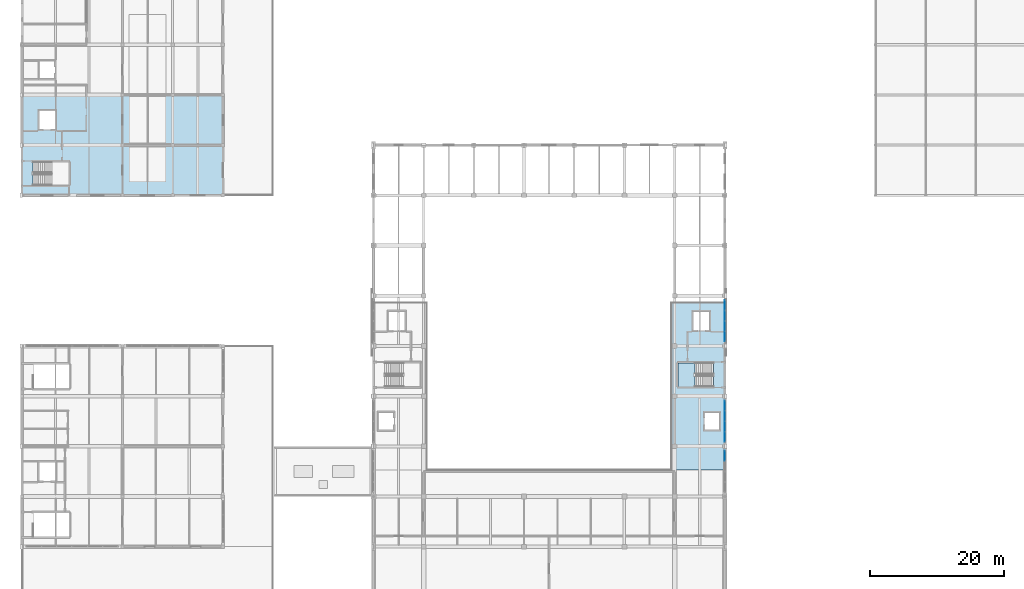
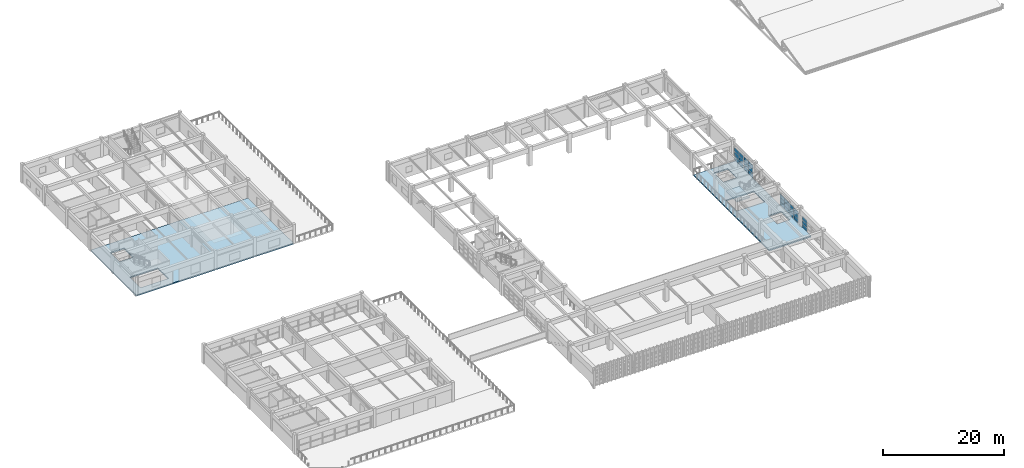
# One storey, part 53 of 82: 27 plates, 3 slabs, 4 elements without a shape of their own.
"""IFC4 building model written with IfcOpenShell, lengths in metres."""

from ifc_helpers import new_model, si_unit, direction, frame, origin, origin_2d, place, context, subcontext, project, spatial, polyline, rectangle, outline, extrude, material, layer, layer_set, type_object, element, aggregate, save


model = new_model("IFC4")

# Units and contexts
model_context = context("Model", 3, precision=1e-05, world=origin(), true_north=direction((0.0, 1.0)))
body_context = subcontext(model_context, "Body", "Model", "MODEL_VIEW")
ifc_project = project(units=[si_unit("LENGTHUNIT", "METRE"), si_unit("AREAUNIT", "SQUARE_METRE"), si_unit("VOLUMEUNIT", "CUBIC_METRE"), si_unit("PLANEANGLEUNIT", "RADIAN"), si_unit("MASSUNIT", "GRAM", prefix="KILO")], contexts=[model_context])

# Site, building, storey
site_placement = place(None, origin())
site = spatial("IfcSite", under=ifc_project, at=site_placement, CompositionType="ELEMENT")
building_placement = place(site_placement, origin())
building = spatial("IfcBuilding", under=site, at=building_placement, Name="Qasida Concert Hall", CompositionType="ELEMENT")
storey_placement = place(building_placement, frame((0.0, 0.0, 17.10009765625)))
storey = spatial("IfcBuildingStorey", under=building, at=storey_placement, Name="L04", CompositionType="ELEMENT", Elevation=17.10009765625)

# Curtain wall, plates
ifc_material_1 = material(Name="Architectural bronze-anodized aluminium and low-E glass", Category="aluminium")
curtain_wall_type = type_object("IfcCurtainWallType", Name="CW-11", PredefinedType="NOTDEFINED", material=ifc_material_1)
curtain_wall_1_placement = place(storey_placement, origin())
curtain_wall_1 = element("IfcCurtainWall", 1, at=curtain_wall_1_placement, inside=storey, type_object=curtain_wall_type, Name="L04 curtain wall CW-11 0057", PredefinedType="NOTDEFINED")
ifc_material_2 = material(Name="Solar-control low-E double glazing", Category="glass")
ifc_layer_1 = layer(ifc_material_2, 0.031982421875, Name="Solar-control low-E double glazing")
ifc_layer_set_1 = layer_set([ifc_layer_1], Name="Solar-control low-E double glazing")
plate_type = type_object("IfcPlateType", Name="PLT-CWP-2", PredefinedType="CURTAIN_PANEL", material=ifc_layer_set_1)
plate_1_placement = place(storey_placement, frame((105.0, 36.081298828125, 0.06005859375), z_axis=(0.0, 0.0, 1.0), x_axis=(0.0, 1.0, 0.0)))
plate_1 = element("IfcPlate", 2, at=plate_1_placement, type_object=plate_type, Name="CW-11 panel 4.1", PredefinedType="CURTAIN_PANEL", context=body_context, shape_type="SweptSolid", body=[
    extrude(rectangle(XDim=1.467529296875, YDim=0.031982421875, at=origin_2d()), origin(), (0.0, 0.0, 1.0), 0.706787109375),
])
plate_2_placement = place(storey_placement, frame((105.0, 36.081298828125, 0.82666015625), z_axis=(0.0, 0.0, 1.0), x_axis=(0.0, 1.0, 0.0)))
plate_2 = element("IfcPlate", 3, at=plate_2_placement, type_object=plate_type, Name="CW-11 panel 4.2", PredefinedType="CURTAIN_PANEL", context=body_context, shape_type="SweptSolid", body=[
    extrude(rectangle(XDim=1.467529296875, YDim=0.031982421875, at=origin_2d()), origin(), (0.0, 0.0, 1.0), 0.736572265625),
])
plate_3_placement = place(storey_placement, frame((105.0, 36.081298828125, 1.623046875), z_axis=(0.0, 0.0, 1.0), x_axis=(0.0, 1.0, 0.0)))
plate_3 = element("IfcPlate", 4, at=plate_3_placement, type_object=plate_type, Name="CW-11 panel 4.3", PredefinedType="CURTAIN_PANEL", context=body_context, shape_type="SweptSolid", body=[
    extrude(rectangle(XDim=1.467529296875, YDim=0.031982421875, at=origin_2d()), origin(), (0.0, 0.0, 1.0), 0.706787109375),
])
aggregate(curtain_wall_1, [plate_1, plate_2, plate_3])

curtain_wall_2_placement = place(storey_placement, origin())
curtain_wall_2 = element("IfcCurtainWall", 5, at=curtain_wall_2_placement, inside=storey, type_object=curtain_wall_type, Name="L04 curtain wall CW-11 0059", PredefinedType="NOTDEFINED")
plate_4_placement = place(storey_placement, frame((105.0, 38.918701171875, 0.06005859375), z_axis=(0.0, 0.0, 1.0), x_axis=(0.0, 1.0, 0.0)))
plate_4 = element("IfcPlate", 6, at=plate_4_placement, type_object=plate_type, Name="CW-11 panel 1.1", PredefinedType="CURTAIN_PANEL", context=body_context, shape_type="SweptSolid", body=[
    extrude(rectangle(XDim=1.467529296875, YDim=0.031982421875, at=origin_2d()), origin(), (0.0, 0.0, 1.0), 0.706787109375),
])
plate_5_placement = place(storey_placement, frame((105.0, 38.918701171875, 0.82666015625), z_axis=(0.0, 0.0, 1.0), x_axis=(0.0, 1.0, 0.0)))
plate_5 = element("IfcPlate", 7, at=plate_5_placement, type_object=plate_type, Name="CW-11 panel 1.2", PredefinedType="CURTAIN_PANEL", context=body_context, shape_type="SweptSolid", body=[
    extrude(rectangle(XDim=1.467529296875, YDim=0.031982421875, at=origin_2d()), origin(), (0.0, 0.0, 1.0), 0.736572265625),
])
plate_6_placement = place(storey_placement, frame((105.0, 38.918701171875, 1.623046875), z_axis=(0.0, 0.0, 1.0), x_axis=(0.0, 1.0, 0.0)))
plate_6 = element("IfcPlate", 8, at=plate_6_placement, type_object=plate_type, Name="CW-11 panel 1.3", PredefinedType="CURTAIN_PANEL", context=body_context, shape_type="SweptSolid", body=[
    extrude(rectangle(XDim=1.467529296875, YDim=0.031982421875, at=origin_2d()), origin(), (0.0, 0.0, 1.0), 0.706787109375),
])
plate_7_placement = place(storey_placement, frame((105.0, 40.467529296875, 0.06005859375), z_axis=(0.0, 0.0, 1.0), x_axis=(0.0, 1.0, 0.0)))
plate_7 = element("IfcPlate", 9, at=plate_7_placement, type_object=plate_type, Name="CW-11 panel 2.1", PredefinedType="CURTAIN_PANEL", context=body_context, shape_type="SweptSolid", body=[
    extrude(rectangle(XDim=1.5, YDim=0.031982421875, at=origin_2d()), origin(), (0.0, 0.0, 1.0), 0.706787109375),
])
plate_8_placement = place(storey_placement, frame((105.0, 40.467529296875, 0.82666015625), z_axis=(0.0, 0.0, 1.0), x_axis=(0.0, 1.0, 0.0)))
plate_8 = element("IfcPlate", 10, at=plate_8_placement, type_object=plate_type, Name="CW-11 panel 2.2", PredefinedType="CURTAIN_PANEL", context=body_context, shape_type="SweptSolid", body=[
    extrude(rectangle(XDim=1.5, YDim=0.031982421875, at=origin_2d()), origin(), (0.0, 0.0, 1.0), 0.736572265625),
])
plate_9_placement = place(storey_placement, frame((105.0, 40.467529296875, 1.623046875), z_axis=(0.0, 0.0, 1.0), x_axis=(0.0, 1.0, 0.0)))
plate_9 = element("IfcPlate", 11, at=plate_9_placement, type_object=plate_type, Name="CW-11 panel 2.3", PredefinedType="CURTAIN_PANEL", context=body_context, shape_type="SweptSolid", body=[
    extrude(rectangle(XDim=1.5, YDim=0.031982421875, at=origin_2d()), origin(), (0.0, 0.0, 1.0), 0.706787109375),
])
plate_10_placement = place(storey_placement, frame((105.0, 42.032470703125, 0.06005859375), z_axis=(0.0, 0.0, 1.0), x_axis=(0.0, 1.0, 0.0)))
plate_10 = element("IfcPlate", 12, at=plate_10_placement, type_object=plate_type, Name="CW-11 panel 3.1", PredefinedType="CURTAIN_PANEL", context=body_context, shape_type="SweptSolid", body=[
    extrude(rectangle(XDim=1.5, YDim=0.031982421875, at=origin_2d()), origin(), (0.0, 0.0, 1.0), 0.706787109375),
])
plate_11_placement = place(storey_placement, frame((105.0, 42.032470703125, 0.82666015625), z_axis=(0.0, 0.0, 1.0), x_axis=(0.0, 1.0, 0.0)))
plate_11 = element("IfcPlate", 13, at=plate_11_placement, type_object=plate_type, Name="CW-11 panel 3.2", PredefinedType="CURTAIN_PANEL", context=body_context, shape_type="SweptSolid", body=[
    extrude(rectangle(XDim=1.5, YDim=0.031982421875, at=origin_2d()), origin(), (0.0, 0.0, 1.0), 0.736572265625),
])
plate_12_placement = place(storey_placement, frame((105.0, 42.032470703125, 1.623046875), z_axis=(0.0, 0.0, 1.0), x_axis=(0.0, 1.0, 0.0)))
plate_12 = element("IfcPlate", 14, at=plate_12_placement, type_object=plate_type, Name="CW-11 panel 3.3", PredefinedType="CURTAIN_PANEL", context=body_context, shape_type="SweptSolid", body=[
    extrude(rectangle(XDim=1.5, YDim=0.031982421875, at=origin_2d()), origin(), (0.0, 0.0, 1.0), 0.706787109375),
])
plate_13_placement = place(storey_placement, frame((105.0, 43.581298828125, 0.06005859375), z_axis=(0.0, 0.0, 1.0), x_axis=(0.0, 1.0, 0.0)))
plate_13 = element("IfcPlate", 15, at=plate_13_placement, type_object=plate_type, Name="CW-11 panel 4.1", PredefinedType="CURTAIN_PANEL", context=body_context, shape_type="SweptSolid", body=[
    extrude(rectangle(XDim=1.467529296875, YDim=0.031982421875, at=origin_2d()), origin(), (0.0, 0.0, 1.0), 0.706787109375),
])
plate_14_placement = place(storey_placement, frame((105.0, 43.581298828125, 0.82666015625), z_axis=(0.0, 0.0, 1.0), x_axis=(0.0, 1.0, 0.0)))
plate_14 = element("IfcPlate", 16, at=plate_14_placement, type_object=plate_type, Name="CW-11 panel 4.2", PredefinedType="CURTAIN_PANEL", context=body_context, shape_type="SweptSolid", body=[
    extrude(rectangle(XDim=1.467529296875, YDim=0.031982421875, at=origin_2d()), origin(), (0.0, 0.0, 1.0), 0.736572265625),
])
plate_15_placement = place(storey_placement, frame((105.0, 43.581298828125, 1.623046875), z_axis=(0.0, 0.0, 1.0), x_axis=(0.0, 1.0, 0.0)))
plate_15 = element("IfcPlate", 17, at=plate_15_placement, type_object=plate_type, Name="CW-11 panel 4.3", PredefinedType="CURTAIN_PANEL", context=body_context, shape_type="SweptSolid", body=[
    extrude(rectangle(XDim=1.467529296875, YDim=0.031982421875, at=origin_2d()), origin(), (0.0, 0.0, 1.0), 0.706787109375),
])
aggregate(curtain_wall_2, [plate_4, plate_5, plate_6, plate_7, plate_8, plate_9, plate_10, plate_11, plate_12, plate_13, plate_14, plate_15])

curtain_wall_3_placement = place(storey_placement, origin())
curtain_wall_3 = element("IfcCurtainWall", 18, at=curtain_wall_3_placement, inside=storey, type_object=curtain_wall_type, Name="L04 curtain wall CW-11 0061", PredefinedType="NOTDEFINED")
plate_16_placement = place(storey_placement, frame((105.0, 53.918701171875, 0.059814453125), z_axis=(0.0, 0.0, 1.0), x_axis=(0.0, 1.0, 0.0)))
plate_16 = element("IfcPlate", 19, at=plate_16_placement, type_object=plate_type, Name="CW-11 panel 1.1", PredefinedType="CURTAIN_PANEL", context=body_context, shape_type="SweptSolid", body=[
    extrude(rectangle(XDim=1.467529296875, YDim=0.031982421875, at=origin_2d()), origin(), (0.0, 0.0, 1.0), 0.7900390625),
])
plate_17_placement = place(storey_placement, frame((105.0, 53.918701171875, 0.90966796875), z_axis=(0.0, 0.0, 1.0), x_axis=(0.0, 1.0, 0.0)))
plate_17 = element("IfcPlate", 20, at=plate_17_placement, type_object=plate_type, Name="CW-11 panel 1.2", PredefinedType="CURTAIN_PANEL", context=body_context, shape_type="SweptSolid", body=[
    extrude(rectangle(XDim=1.467529296875, YDim=0.031982421875, at=origin_2d()), origin(), (0.0, 0.0, 1.0), 0.820068359375),
])
plate_18_placement = place(storey_placement, frame((105.0, 53.918701171875, 1.789794921875), z_axis=(0.0, 0.0, 1.0), x_axis=(0.0, 1.0, 0.0)))
plate_18 = element("IfcPlate", 21, at=plate_18_placement, type_object=plate_type, Name="CW-11 panel 1.3", PredefinedType="CURTAIN_PANEL", context=body_context, shape_type="SweptSolid", body=[
    extrude(rectangle(XDim=1.467529296875, YDim=0.031982421875, at=origin_2d()), origin(), (0.0, 0.0, 1.0), 0.7900390625),
])
plate_19_placement = place(storey_placement, frame((105.0, 55.467529296875, 0.059814453125), z_axis=(0.0, 0.0, 1.0), x_axis=(0.0, 1.0, 0.0)))
plate_19 = element("IfcPlate", 22, at=plate_19_placement, type_object=plate_type, Name="CW-11 panel 2.1", PredefinedType="CURTAIN_PANEL", context=body_context, shape_type="SweptSolid", body=[
    extrude(rectangle(XDim=1.5, YDim=0.031982421875, at=origin_2d()), origin(), (0.0, 0.0, 1.0), 0.7900390625),
])
plate_20_placement = place(storey_placement, frame((105.0, 55.467529296875, 0.90966796875), z_axis=(0.0, 0.0, 1.0), x_axis=(0.0, 1.0, 0.0)))
plate_20 = element("IfcPlate", 23, at=plate_20_placement, type_object=plate_type, Name="CW-11 panel 2.2", PredefinedType="CURTAIN_PANEL", context=body_context, shape_type="SweptSolid", body=[
    extrude(rectangle(XDim=1.5, YDim=0.031982421875, at=origin_2d()), origin(), (0.0, 0.0, 1.0), 0.820068359375),
])
plate_21_placement = place(storey_placement, frame((105.0, 55.467529296875, 1.789794921875), z_axis=(0.0, 0.0, 1.0), x_axis=(0.0, 1.0, 0.0)))
plate_21 = element("IfcPlate", 24, at=plate_21_placement, type_object=plate_type, Name="CW-11 panel 2.3", PredefinedType="CURTAIN_PANEL", context=body_context, shape_type="SweptSolid", body=[
    extrude(rectangle(XDim=1.5, YDim=0.031982421875, at=origin_2d()), origin(), (0.0, 0.0, 1.0), 0.7900390625),
])
plate_22_placement = place(storey_placement, frame((105.0, 57.032470703125, 0.059814453125), z_axis=(0.0, 0.0, 1.0), x_axis=(0.0, 1.0, 0.0)))
plate_22 = element("IfcPlate", 25, at=plate_22_placement, type_object=plate_type, Name="CW-11 panel 3.1", PredefinedType="CURTAIN_PANEL", context=body_context, shape_type="SweptSolid", body=[
    extrude(rectangle(XDim=1.5, YDim=0.031982421875, at=origin_2d()), origin(), (0.0, 0.0, 1.0), 0.7900390625),
])
plate_23_placement = place(storey_placement, frame((105.0, 57.032470703125, 0.90966796875), z_axis=(0.0, 0.0, 1.0), x_axis=(0.0, 1.0, 0.0)))
plate_23 = element("IfcPlate", 26, at=plate_23_placement, type_object=plate_type, Name="CW-11 panel 3.2", PredefinedType="CURTAIN_PANEL", context=body_context, shape_type="SweptSolid", body=[
    extrude(rectangle(XDim=1.5, YDim=0.031982421875, at=origin_2d()), origin(), (0.0, 0.0, 1.0), 0.820068359375),
])
plate_24_placement = place(storey_placement, frame((105.0, 57.032470703125, 1.789794921875), z_axis=(0.0, 0.0, 1.0), x_axis=(0.0, 1.0, 0.0)))
plate_24 = element("IfcPlate", 27, at=plate_24_placement, type_object=plate_type, Name="CW-11 panel 3.3", PredefinedType="CURTAIN_PANEL", context=body_context, shape_type="SweptSolid", body=[
    extrude(rectangle(XDim=1.5, YDim=0.031982421875, at=origin_2d()), origin(), (0.0, 0.0, 1.0), 0.7900390625),
])
plate_25_placement = place(storey_placement, frame((105.0, 58.581298828125, 0.059814453125), z_axis=(0.0, 0.0, 1.0), x_axis=(0.0, 1.0, 0.0)))
plate_25 = element("IfcPlate", 28, at=plate_25_placement, type_object=plate_type, Name="CW-11 panel 4.1", PredefinedType="CURTAIN_PANEL", context=body_context, shape_type="SweptSolid", body=[
    extrude(rectangle(XDim=1.467529296875, YDim=0.031982421875, at=origin_2d()), origin(), (0.0, 0.0, 1.0), 0.7900390625),
])
plate_26_placement = place(storey_placement, frame((105.0, 58.581298828125, 0.90966796875), z_axis=(0.0, 0.0, 1.0), x_axis=(0.0, 1.0, 0.0)))
plate_26 = element("IfcPlate", 29, at=plate_26_placement, type_object=plate_type, Name="CW-11 panel 4.2", PredefinedType="CURTAIN_PANEL", context=body_context, shape_type="SweptSolid", body=[
    extrude(rectangle(XDim=1.467529296875, YDim=0.031982421875, at=origin_2d()), origin(), (0.0, 0.0, 1.0), 0.820068359375),
])
plate_27_placement = place(storey_placement, frame((105.0, 58.581298828125, 1.789794921875), z_axis=(0.0, 0.0, 1.0), x_axis=(0.0, 1.0, 0.0)))
plate_27 = element("IfcPlate", 30, at=plate_27_placement, type_object=plate_type, Name="CW-11 panel 4.3", PredefinedType="CURTAIN_PANEL", context=body_context, shape_type="SweptSolid", body=[
    extrude(rectangle(XDim=1.467529296875, YDim=0.031982421875, at=origin_2d()), origin(), (0.0, 0.0, 1.0), 0.7900390625),
])
aggregate(curtain_wall_3, [plate_16, plate_17, plate_18, plate_19, plate_20, plate_21, plate_22, plate_23, plate_24, plate_25, plate_26, plate_27])

# Slabs
ifc_material_3 = material(Name="Concrete C40/50", Category="concrete")
ifc_layer_2 = layer(ifc_material_3, 0.239990234375, Name="Concrete C40/50")
ifc_layer_set_2 = layer_set([ifc_layer_2], Name="Concrete C40/50")
slab_type_1 = type_object("IfcSlabType", Name="SL-FS-240", PredefinedType="FLOOR", material=ifc_layer_set_2)
slab_1_placement = place(storey_placement, frame((0.0, 0.0, -0.239990234375)))
element("IfcSlab", 31, at=slab_1_placement, inside=storey, type_object=slab_type_1, Name="V1 reflector gallery east (FS-240)", PredefinedType="FLOOR", context=body_context, shape_type="SweptSolid", body=[
    extrude(outline(polyline([(97.0, 34.0), (105.0, 34.0), (105.0, 59.0), (97.0, 59.0), (97.0, 34.0)]), holes=[polyline([(101.89990234375, 39.85009765625), (104.300048828125, 39.85009765625), (104.300048828125, 42.64990234375), (101.89990234375, 42.64990234375), (101.89990234375, 39.85009765625)]), polyline([(97.97998046875, 46.39990234375), (103.31005859375, 46.39990234375), (103.31005859375, 49.9599609375), (97.97998046875, 49.9599609375), (97.97998046875, 46.39990234375)]), polyline([(100.199951171875, 54.75), (102.800048828125, 54.75), (102.800048828125, 57.75), (100.199951171875, 57.75), (100.199951171875, 54.75)])]), origin(), (0.0, 0.0, 1.0), 0.239990234375),
])
slab_2_placement = place(storey_placement, frame((0.0, 0.0, -0.239990234375)))
element("IfcSlab", 32, at=slab_2_placement, inside=storey, type_object=slab_type_1, Name="V5 practice studios south (FS-240)", PredefinedType="FLOOR", context=body_context, shape_type="SweptSolid", body=[
    extrude(outline(polyline([(0.0, 75.0), (30.0, 75.0), (30.0, 90.0), (0.0, 90.0), (0.0, 75.0)]), holes=[polyline([(1.659912109375, 76.5), (7.02001953125, 76.5), (7.02001953125, 80.0), (1.659912109375, 80.0), (1.659912109375, 76.5)]), polyline([(2.449951171875, 84.75), (5.050048828125, 84.75), (5.050048828125, 87.75), (2.449951171875, 87.75), (2.449951171875, 84.75)])]), origin(), (0.0, 0.0, 1.0), 0.239990234375),
])

# Stair, slab
stair_type = type_object("IfcStairType", Name="ST-DL-168", PredefinedType="HALF_TURN_STAIR", material=ifc_material_3)
stair_placement = place(storey_placement, origin())
stair = element("IfcStair", 33, at=stair_placement, inside=storey, type_object=stair_type, Name="L04 Exit stair ST-02", PredefinedType="HALF_TURN_STAIR")
ifc_layer_3 = layer(ifc_material_3, 0.199951171875, Name="Concrete C40/50")
ifc_layer_set_3 = layer_set([ifc_layer_3], Name="Concrete C40/50")
slab_type_2 = type_object("IfcSlabType", Name="SL-LND-200", PredefinedType="LANDING", material=ifc_layer_set_3)
slab_3_placement = place(storey_placement, frame((0.0, 0.0, 1.75)))
slab_3 = element("IfcSlab", 34, at=slab_3_placement, type_object=slab_type_2, Name="ST-02 landing 1", PredefinedType="LANDING", context=body_context, shape_type="SweptSolid", body=[
    extrude(outline(polyline([(100.52001953125, 49.9599609375), (97.97998046875, 49.9599609375), (97.97998046875, 46.39990234375), (100.52001953125, 46.39990234375), (100.52001953125, 49.9599609375)])), origin(), (0.0, 0.0, 1.0), 0.199951171875),
])
aggregate(stair, [slab_3])

save(model, "model.ifc")
